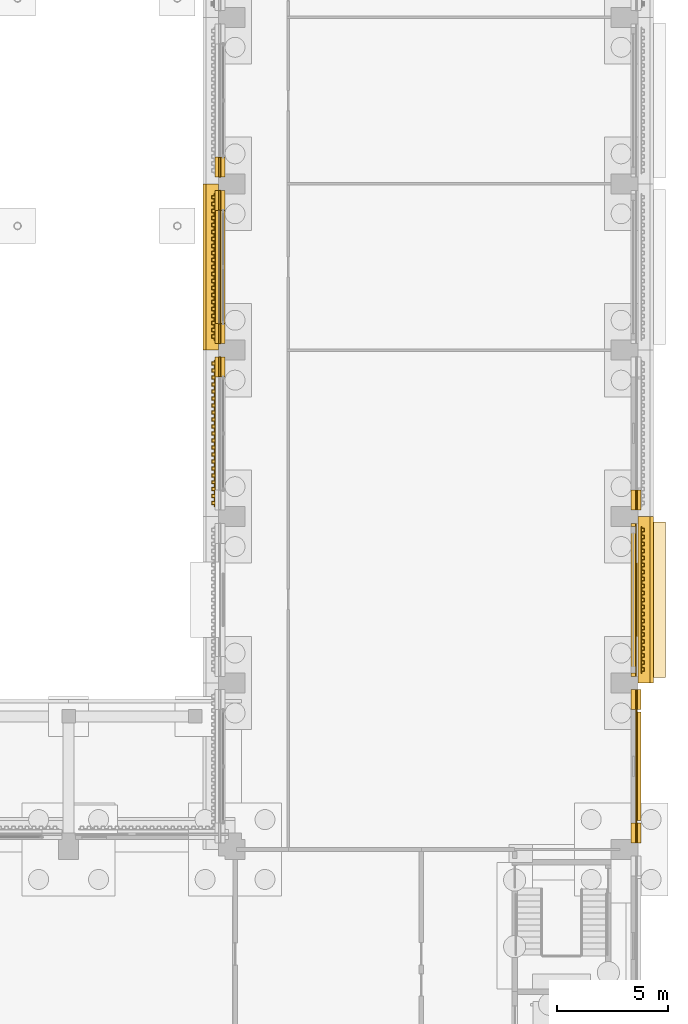
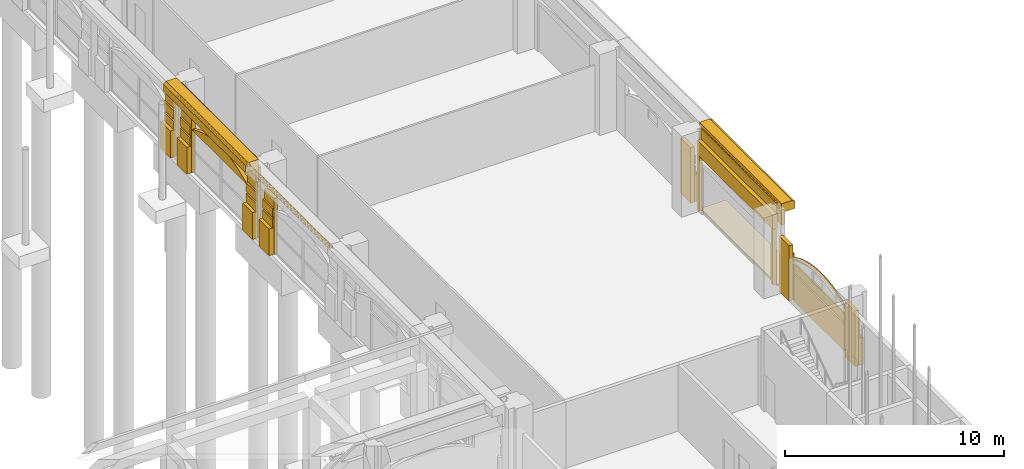
# One storey, part 87 of 99: 42 coverings.
"""IFC4 building model written with IfcOpenShell, lengths in metres."""

from ifc_helpers import new_model, si_unit, direction, frame, origin, place, context, subcontext, project, spatial, polyline, outline, extrude, material, layer, layer_set, type_object, element, save


model = new_model("IFC4")

# Units and contexts
model_context = context("Model", 3, precision=1e-05, world=origin(), true_north=direction((0.0, 1.0)))
body_context = subcontext(model_context, "Body", "Model", "MODEL_VIEW")
ifc_project = project(units=[si_unit("LENGTHUNIT", "METRE"), si_unit("AREAUNIT", "SQUARE_METRE"), si_unit("VOLUMEUNIT", "CUBIC_METRE"), si_unit("PLANEANGLEUNIT", "RADIAN"), si_unit("MASSUNIT", "GRAM", prefix="KILO")], contexts=[model_context])

# Site, building, storey
site_placement = place(None, origin())
site = spatial("IfcSite", under=ifc_project, at=site_placement, CompositionType="ELEMENT")
building_placement = place(site_placement, origin())
building = spatial("IfcBuilding", under=site, at=building_placement, Name="Cour d'Honneur Mobility Palace", CompositionType="ELEMENT")
storey_placement = place(building_placement, origin())
storey = spatial("IfcBuildingStorey", under=building, at=storey_placement, Name="L00", CompositionType="ELEMENT", Elevation=0.0)

# Coverings
ifc_material_1 = material(Name="Cast limestone", Category="masonry")
ifc_layer_1 = layer(ifc_material_1, 0.050048828125)
ifc_layer_set_1 = layer_set([ifc_layer_1], Name="Cast limestone")
covering_type_1 = type_object("IfcCoveringType", Name="Arch hood", PredefinedType="CLADDING", material=ifc_layer_set_1)
covering_1_placement = place(storey_placement, frame((163.0, 63.60009765625, 2.179931640625), z_axis=(1.0, 0.0, 0.0), x_axis=(0.0, 0.893466628376, 0.449129584839)))
element("IfcCovering", 1, at=covering_1_placement, inside=storey, type_object=covering_type_1, Name="Arch hood AH-38", PredefinedType="CLADDING", context=body_context, shape_type="SweptSolid", body=[
    extrude(outline(polyline([(0.0, 0.0), (0.35659251896621735, 0.0), (0.7019994885684498, -0.022795326888668588), (1.0365522012474004, -0.0666397586034293), (1.3614544754480467, -0.13022567619190017), (1.6770364335570624, -0.21235277137119013), (1.9834088964060255, -0.3122569988605455), (2.2812274285521696, -0.4297213972129261), (2.5701654177709066, -0.564308533372167), (2.850768777841922, -0.7160195773922962), (3.122709726486599, -0.8849630099968336), (3.38566048142632, -1.0712473119092998), (3.6398380041081246, -1.2755280476869282), (3.8844770791972314, -1.4982403102778272), (4.119465715808033, -1.740694058742436), (4.343818226996622, -2.004306562810686), (4.556548925819088, -2.2904950922125074), (4.655344276390369, -2.0939586097498237), (4.44272322834545, -1.807551948846934), (4.218261066379314, -1.5441575762797524), (3.983272429768512, -1.3017038278151434), (3.7387430054569535, -1.078773433723176), (3.4844558319976, -0.8747108294466162), (3.221505077057879, -0.68842652753415), (2.949564128413202, -0.5194830949296125), (2.6689607683421865, -0.3677720509094833), (2.3800227791234496, -0.2331849147502425), (2.0822042469773057, -0.11572051639786185), (1.7758317841283424, -0.015816288908506504), (1.4603594767968753, 0.06652893777185187), (1.1353475518186806, 0.12989672385925438), (0.8007948391397299, 0.17374115557401504), (0.45549752031504603, 0.1967546139637521), (0.09879535057128006, 0.19653648246268365), (0.0, 0.0)])), origin(), (0.0, 0.0, -1.0), 0.050048828125),
])
ifc_material_2 = material(Name="Cast limestone", Category="masonry")
ifc_layer_2 = layer(ifc_material_2, 0.199951171875)
ifc_layer_set_2 = layer_set([ifc_layer_2], Name="Cast limestone")
covering_type_2 = type_object("IfcCoveringType", Name="Arch tympanum panel", PredefinedType="CLADDING", material=ifc_layer_set_2)
covering_2_placement = place(storey_placement, frame((144.25, 91.199951171875, 2.39990234375), z_axis=(-1.0, 0.0, 0.0), x_axis=(0.0, -1.0, 0.0)))
element("IfcCovering", 2, at=covering_2_placement, inside=storey, type_object=covering_type_2, Name="Arch tympanum panel TP-4", PredefinedType="CLADDING", context=body_context, shape_type="SweptSolid", body=[
    extrude(outline(polyline([(0.0, 0.0), (5.099853515625, 0.0), (5.099853515625, 0.0), (4.78125, 0.160400390625), (4.46240234375, 0.294921875), (4.143798828125, 0.406005859375), (3.824951171875, 0.495361328125), (3.506103515625, 0.5634765625), (3.1875, 0.61181640625), (2.86865234375, 0.640625), (2.550048828125, 0.650146484375), (2.231201171875, 0.640625), (1.912353515625, 0.61181640625), (1.59375, 0.5634765625), (1.27490234375, 0.495361328125), (0.956298828125, 0.406005859375), (0.637451171875, 0.294921875), (0.318603515625, 0.160400390625), (0.0, 0.0), (0.0, 0.0)])), origin(), (0.0, 0.0, -1.0), 0.199951171875),
])
ifc_material_3 = material(Name="Cast limestone", Category="masonry")
ifc_layer_3 = layer(ifc_material_3, 0.14990234375)
ifc_layer_set_3 = layer_set([ifc_layer_3], Name="Cast limestone")
covering_type_3 = type_object("IfcCoveringType", Name="Dentil course", PredefinedType="CLADDING", material=ifc_layer_set_3)
covering_3_placement = place(storey_placement, frame((0.0, 0.0, 3.949951171875)))
element("IfcCovering", 3, at=covering_3_placement, inside=storey, type_object=covering_type_3, Name="Dentil course DC-26", PredefinedType="CLADDING", context=body_context, shape_type="SweptSolid", body=[
    extrude(outline(polyline([(163.199951171875, 70.35009765625), (163.199951171875, 76.949951171875), (163.22998046875, 76.949951171875), (163.22998046875, 76.949951171875), (163.22998046875, 76.871337890625), (163.35009765625, 76.871337890625), (163.35009765625, 76.71435546875), (163.22998046875, 76.71435546875), (163.22998046875, 76.6357421875), (163.22998046875, 76.6357421875), (163.22998046875, 76.55712890625), (163.35009765625, 76.55712890625), (163.35009765625, 76.39990234375), (163.22998046875, 76.39990234375), (163.22998046875, 76.321533203125), (163.22998046875, 76.321533203125), (163.22998046875, 76.242919921875), (163.35009765625, 76.242919921875), (163.35009765625, 76.085693359375), (163.22998046875, 76.085693359375), (163.22998046875, 76.007080078125), (163.22998046875, 76.007080078125), (163.22998046875, 75.928466796875), (163.35009765625, 75.928466796875), (163.35009765625, 75.771484375), (163.22998046875, 75.771484375), (163.22998046875, 75.69287109375), (163.22998046875, 75.69287109375), (163.22998046875, 75.6142578125), (163.35009765625, 75.6142578125), (163.35009765625, 75.45703125), (163.22998046875, 75.45703125), (163.22998046875, 75.378662109375), (163.22998046875, 75.378662109375), (163.22998046875, 75.300048828125), (163.35009765625, 75.300048828125), (163.35009765625, 75.142822265625), (163.22998046875, 75.142822265625), (163.22998046875, 75.064208984375), (163.22998046875, 75.064208984375), (163.22998046875, 74.985595703125), (163.35009765625, 74.985595703125), (163.35009765625, 74.82861328125), (163.22998046875, 74.82861328125), (163.22998046875, 74.75), (163.22998046875, 74.75), (163.22998046875, 74.67138671875), (163.35009765625, 74.67138671875), (163.35009765625, 74.514404296875), (163.22998046875, 74.514404296875), (163.22998046875, 74.435791015625), (163.22998046875, 74.435791015625), (163.22998046875, 74.357177734375), (163.35009765625, 74.357177734375), (163.35009765625, 74.199951171875), (163.22998046875, 74.199951171875), (163.22998046875, 74.121337890625), (163.22998046875, 74.121337890625), (163.22998046875, 74.04296875), (163.35009765625, 74.04296875), (163.35009765625, 73.8857421875), (163.22998046875, 73.8857421875), (163.22998046875, 73.80712890625), (163.22998046875, 73.80712890625), (163.22998046875, 73.728515625), (163.35009765625, 73.728515625), (163.35009765625, 73.571533203125), (163.22998046875, 73.571533203125), (163.22998046875, 73.492919921875), (163.22998046875, 73.492919921875), (163.22998046875, 73.414306640625), (163.35009765625, 73.414306640625), (163.35009765625, 73.257080078125), (163.22998046875, 73.257080078125), (163.22998046875, 73.178466796875), (163.22998046875, 73.178466796875), (163.22998046875, 73.10009765625), (163.35009765625, 73.10009765625), (163.35009765625, 72.94287109375), (163.22998046875, 72.94287109375), (163.22998046875, 72.8642578125), (163.22998046875, 72.8642578125), (163.22998046875, 72.78564453125), (163.35009765625, 72.78564453125), (163.35009765625, 72.628662109375), (163.22998046875, 72.628662109375), (163.22998046875, 72.550048828125), (163.22998046875, 72.550048828125), (163.22998046875, 72.471435546875), (163.35009765625, 72.471435546875), (163.35009765625, 72.314208984375), (163.22998046875, 72.314208984375), (163.22998046875, 72.235595703125), (163.22998046875, 72.235595703125), (163.22998046875, 72.1572265625), (163.35009765625, 72.1572265625), (163.35009765625, 72.0), (163.22998046875, 72.0), (163.22998046875, 71.92138671875), (163.22998046875, 71.92138671875), (163.22998046875, 71.8427734375), (163.35009765625, 71.8427734375), (163.35009765625, 71.685791015625), (163.22998046875, 71.685791015625), (163.22998046875, 71.607177734375), (163.22998046875, 71.607177734375), (163.22998046875, 71.528564453125), (163.35009765625, 71.528564453125), (163.35009765625, 71.371337890625), (163.22998046875, 71.371337890625), (163.22998046875, 71.29296875), (163.22998046875, 71.29296875), (163.22998046875, 71.21435546875), (163.35009765625, 71.21435546875), (163.35009765625, 71.05712890625), (163.22998046875, 71.05712890625), (163.22998046875, 70.978515625), (163.22998046875, 70.978515625), (163.22998046875, 70.89990234375), (163.35009765625, 70.89990234375), (163.35009765625, 70.742919921875), (163.22998046875, 70.742919921875), (163.22998046875, 70.664306640625), (163.22998046875, 70.664306640625), (163.22998046875, 70.585693359375), (163.35009765625, 70.585693359375), (163.35009765625, 70.428466796875), (163.22998046875, 70.428466796875), (163.22998046875, 70.35009765625), (163.199951171875, 70.35009765625)])), origin(), (0.0, 0.0, 1.0), 0.150146484375),
])
covering_4_placement = place(storey_placement, frame((0.0, 0.0, 3.949951171875)))
element("IfcCovering", 4, at=covering_4_placement, inside=storey, type_object=covering_type_3, Name="Dentil course DC-34", PredefinedType="CLADDING", context=body_context, shape_type="SweptSolid", body=[
    extrude(outline(polyline([(144.0, 91.949951171875), (144.0, 85.35009765625), (143.969970703125, 85.35009765625), (143.969970703125, 85.35009765625), (143.969970703125, 85.428466796875), (143.85009765625, 85.428466796875), (143.85009765625, 85.585693359375), (143.969970703125, 85.585693359375), (143.969970703125, 85.664306640625), (143.969970703125, 85.664306640625), (143.969970703125, 85.742919921875), (143.85009765625, 85.742919921875), (143.85009765625, 85.89990234375), (143.969970703125, 85.89990234375), (143.969970703125, 85.978515625), (143.969970703125, 85.978515625), (143.969970703125, 86.05712890625), (143.85009765625, 86.05712890625), (143.85009765625, 86.21435546875), (143.969970703125, 86.21435546875), (143.969970703125, 86.29296875), (143.969970703125, 86.29296875), (143.969970703125, 86.371337890625), (143.85009765625, 86.371337890625), (143.85009765625, 86.528564453125), (143.969970703125, 86.528564453125), (143.969970703125, 86.607177734375), (143.969970703125, 86.607177734375), (143.969970703125, 86.685791015625), (143.85009765625, 86.685791015625), (143.85009765625, 86.8427734375), (143.969970703125, 86.8427734375), (143.969970703125, 86.92138671875), (143.969970703125, 86.92138671875), (143.969970703125, 87.0), (143.85009765625, 87.0), (143.85009765625, 87.1572265625), (143.969970703125, 87.1572265625), (143.969970703125, 87.235595703125), (143.969970703125, 87.235595703125), (143.969970703125, 87.314208984375), (143.85009765625, 87.314208984375), (143.85009765625, 87.471435546875), (143.969970703125, 87.471435546875), (143.969970703125, 87.550048828125), (143.969970703125, 87.550048828125), (143.969970703125, 87.628662109375), (143.85009765625, 87.628662109375), (143.85009765625, 87.78564453125), (143.969970703125, 87.78564453125), (143.969970703125, 87.8642578125), (143.969970703125, 87.8642578125), (143.969970703125, 87.94287109375), (143.85009765625, 87.94287109375), (143.85009765625, 88.10009765625), (143.969970703125, 88.10009765625), (143.969970703125, 88.178466796875), (143.969970703125, 88.178466796875), (143.969970703125, 88.257080078125), (143.85009765625, 88.257080078125), (143.85009765625, 88.414306640625), (143.969970703125, 88.414306640625), (143.969970703125, 88.492919921875), (143.969970703125, 88.492919921875), (143.969970703125, 88.571533203125), (143.85009765625, 88.571533203125), (143.85009765625, 88.728515625), (143.969970703125, 88.728515625), (143.969970703125, 88.80712890625), (143.969970703125, 88.80712890625), (143.969970703125, 88.8857421875), (143.85009765625, 88.8857421875), (143.85009765625, 89.04296875), (143.969970703125, 89.04296875), (143.969970703125, 89.121337890625), (143.969970703125, 89.121337890625), (143.969970703125, 89.199951171875), (143.85009765625, 89.199951171875), (143.85009765625, 89.357177734375), (143.969970703125, 89.357177734375), (143.969970703125, 89.435791015625), (143.969970703125, 89.435791015625), (143.969970703125, 89.514404296875), (143.85009765625, 89.514404296875), (143.85009765625, 89.67138671875), (143.969970703125, 89.67138671875), (143.969970703125, 89.75), (143.969970703125, 89.75), (143.969970703125, 89.82861328125), (143.85009765625, 89.82861328125), (143.85009765625, 89.985595703125), (143.969970703125, 89.985595703125), (143.969970703125, 90.064208984375), (143.969970703125, 90.064208984375), (143.969970703125, 90.142822265625), (143.85009765625, 90.142822265625), (143.85009765625, 90.300048828125), (143.969970703125, 90.300048828125), (143.969970703125, 90.378662109375), (143.969970703125, 90.378662109375), (143.969970703125, 90.45703125), (143.85009765625, 90.45703125), (143.85009765625, 90.6142578125), (143.969970703125, 90.6142578125), (143.969970703125, 90.69287109375), (143.969970703125, 90.69287109375), (143.969970703125, 90.771484375), (143.85009765625, 90.771484375), (143.85009765625, 90.928466796875), (143.969970703125, 90.928466796875), (143.969970703125, 91.007080078125), (143.969970703125, 91.007080078125), (143.969970703125, 91.085693359375), (143.85009765625, 91.085693359375), (143.85009765625, 91.242919921875), (143.969970703125, 91.242919921875), (143.969970703125, 91.321533203125), (143.969970703125, 91.321533203125), (143.969970703125, 91.39990234375), (143.85009765625, 91.39990234375), (143.85009765625, 91.55712890625), (143.969970703125, 91.55712890625), (143.969970703125, 91.6357421875), (143.969970703125, 91.6357421875), (143.969970703125, 91.71435546875), (143.85009765625, 91.71435546875), (143.85009765625, 91.871337890625), (143.969970703125, 91.871337890625), (143.969970703125, 91.949951171875), (144.0, 91.949951171875)])), origin(), (0.0, 0.0, 1.0), 0.150146484375),
])
covering_5_placement = place(storey_placement, frame((0.0, 0.0, 3.949951171875)))
element("IfcCovering", 5, at=covering_5_placement, inside=storey, type_object=covering_type_3, Name="Dentil course DC-35", PredefinedType="CLADDING", context=body_context, shape_type="SweptSolid", body=[
    extrude(outline(polyline([(144.0, 84.449951171875), (144.0, 77.85009765625), (143.969970703125, 77.85009765625), (143.969970703125, 77.85009765625), (143.969970703125, 77.928466796875), (143.85009765625, 77.928466796875), (143.85009765625, 78.085693359375), (143.969970703125, 78.085693359375), (143.969970703125, 78.164306640625), (143.969970703125, 78.164306640625), (143.969970703125, 78.242919921875), (143.85009765625, 78.242919921875), (143.85009765625, 78.39990234375), (143.969970703125, 78.39990234375), (143.969970703125, 78.478515625), (143.969970703125, 78.478515625), (143.969970703125, 78.55712890625), (143.85009765625, 78.55712890625), (143.85009765625, 78.71435546875), (143.969970703125, 78.71435546875), (143.969970703125, 78.79296875), (143.969970703125, 78.79296875), (143.969970703125, 78.871337890625), (143.85009765625, 78.871337890625), (143.85009765625, 79.028564453125), (143.969970703125, 79.028564453125), (143.969970703125, 79.107177734375), (143.969970703125, 79.107177734375), (143.969970703125, 79.185791015625), (143.85009765625, 79.185791015625), (143.85009765625, 79.3427734375), (143.969970703125, 79.3427734375), (143.969970703125, 79.42138671875), (143.969970703125, 79.42138671875), (143.969970703125, 79.5), (143.85009765625, 79.5), (143.85009765625, 79.6572265625), (143.969970703125, 79.6572265625), (143.969970703125, 79.735595703125), (143.969970703125, 79.735595703125), (143.969970703125, 79.814208984375), (143.85009765625, 79.814208984375), (143.85009765625, 79.971435546875), (143.969970703125, 79.971435546875), (143.969970703125, 80.050048828125), (143.969970703125, 80.050048828125), (143.969970703125, 80.128662109375), (143.85009765625, 80.128662109375), (143.85009765625, 80.28564453125), (143.969970703125, 80.28564453125), (143.969970703125, 80.3642578125), (143.969970703125, 80.3642578125), (143.969970703125, 80.44287109375), (143.85009765625, 80.44287109375), (143.85009765625, 80.60009765625), (143.969970703125, 80.60009765625), (143.969970703125, 80.678466796875), (143.969970703125, 80.678466796875), (143.969970703125, 80.757080078125), (143.85009765625, 80.757080078125), (143.85009765625, 80.914306640625), (143.969970703125, 80.914306640625), (143.969970703125, 80.992919921875), (143.969970703125, 80.992919921875), (143.969970703125, 81.071533203125), (143.85009765625, 81.071533203125), (143.85009765625, 81.228515625), (143.969970703125, 81.228515625), (143.969970703125, 81.30712890625), (143.969970703125, 81.30712890625), (143.969970703125, 81.3857421875), (143.85009765625, 81.3857421875), (143.85009765625, 81.54296875), (143.969970703125, 81.54296875), (143.969970703125, 81.621337890625), (143.969970703125, 81.621337890625), (143.969970703125, 81.699951171875), (143.85009765625, 81.699951171875), (143.85009765625, 81.857177734375), (143.969970703125, 81.857177734375), (143.969970703125, 81.935791015625), (143.969970703125, 81.935791015625), (143.969970703125, 82.014404296875), (143.85009765625, 82.014404296875), (143.85009765625, 82.17138671875), (143.969970703125, 82.17138671875), (143.969970703125, 82.25), (143.969970703125, 82.25), (143.969970703125, 82.32861328125), (143.85009765625, 82.32861328125), (143.85009765625, 82.485595703125), (143.969970703125, 82.485595703125), (143.969970703125, 82.564208984375), (143.969970703125, 82.564208984375), (143.969970703125, 82.642822265625), (143.85009765625, 82.642822265625), (143.85009765625, 82.800048828125), (143.969970703125, 82.800048828125), (143.969970703125, 82.878662109375), (143.969970703125, 82.878662109375), (143.969970703125, 82.95703125), (143.85009765625, 82.95703125), (143.85009765625, 83.1142578125), (143.969970703125, 83.1142578125), (143.969970703125, 83.19287109375), (143.969970703125, 83.19287109375), (143.969970703125, 83.271484375), (143.85009765625, 83.271484375), (143.85009765625, 83.428466796875), (143.969970703125, 83.428466796875), (143.969970703125, 83.507080078125), (143.969970703125, 83.507080078125), (143.969970703125, 83.585693359375), (143.85009765625, 83.585693359375), (143.85009765625, 83.742919921875), (143.969970703125, 83.742919921875), (143.969970703125, 83.821533203125), (143.969970703125, 83.821533203125), (143.969970703125, 83.89990234375), (143.85009765625, 83.89990234375), (143.85009765625, 84.05712890625), (143.969970703125, 84.05712890625), (143.969970703125, 84.1357421875), (143.969970703125, 84.1357421875), (143.969970703125, 84.21435546875), (143.85009765625, 84.21435546875), (143.85009765625, 84.371337890625), (143.969970703125, 84.371337890625), (143.969970703125, 84.449951171875), (144.0, 84.449951171875)])), origin(), (0.0, 0.0, 1.0), 0.150146484375),
])
ifc_material_4 = material(Name="Cast limestone", Category="masonry")
ifc_layer_4 = layer(ifc_material_4, 0.699951171875)
ifc_layer_set_4 = layer_set([ifc_layer_4], Name="Cast limestone")
covering_type_4 = type_object("IfcCoveringType", Name="Entablature", PredefinedType="CLADDING", material=ifc_layer_set_4)
covering_6_placement = place(storey_placement, frame((163.050048828125, 69.89990234375, 3.39990234375), z_axis=(0.0, -1.0, 0.0), x_axis=(1.0, 0.0, 0.0)))
element("IfcCovering", 6, at=covering_6_placement, inside=storey, type_object=covering_type_4, Name="Entablature EN-26", PredefinedType="CLADDING", context=body_context, shape_type="SweptSolid", body=[
    extrude(outline(polyline([(0.0, 0.0), (0.14990234375, 0.0), (0.14990234375, 0.7001953125), (0.699951171875, 0.7001953125), (0.699951171875, 1.10009765625), (0.550048828125, 1.2001953125), (0.0, 1.2001953125), (0.0, 0.0)])), origin(), (0.0, 0.0, -1.0), 7.5),
])
covering_7_placement = place(storey_placement, frame((144.14990234375, 92.39990234375, 3.39990234375), z_axis=(0.0, 1.0, 0.0), x_axis=(-1.0, 0.0, 0.0)))
element("IfcCovering", 7, at=covering_7_placement, inside=storey, type_object=covering_type_4, Name="Entablature EN-34", PredefinedType="CLADDING", context=body_context, shape_type="SweptSolid", body=[
    extrude(outline(polyline([(0.0, 0.0), (0.14990234375, 0.0), (0.14990234375, 0.7001953125), (0.699951171875, 0.7001953125), (0.699951171875, 1.10009765625), (0.5498046875, 1.2001953125), (0.0, 1.2001953125), (0.0, 0.0)])), origin(), (0.0, 0.0, -1.0), 7.5),
])
ifc_material_5 = material(Name="Granite paving", Category="masonry")
ifc_layer_5 = layer(ifc_material_5, 0.10009765625)
ifc_layer_set_5 = layer_set([ifc_layer_5], Name="Granite paving")
covering_type_5 = type_object("IfcCoveringType", Name="Entrance paving", PredefinedType="FLOORING", material=ifc_layer_set_5)
covering_8_placement = place(storey_placement, frame((0.0, 0.0, -0.10009765625)))
element("IfcCovering", 8, at=covering_8_placement, inside=storey, type_object=covering_type_5, Name="Entrance paving PV-10", PredefinedType="FLOORING", context=body_context, shape_type="SweptSolid", body=[
    extrude(outline(polyline([(162.949951171875, 70.14990234375), (162.949951171875, 77.14990234375), (164.300048828125, 77.14990234375), (164.300048828125, 70.14990234375), (162.949951171875, 70.14990234375)])), origin(), (0.0, 0.0, 1.0), 0.10009765625),
])
ifc_material_6 = material(Name="Cast limestone", Category="masonry")
ifc_layer_6 = layer(ifc_material_6, 0.25)
ifc_layer_set_6 = layer_set([ifc_layer_6], Name="Cast limestone")
covering_type_6 = type_object("IfcCoveringType", Name="Plinth course", PredefinedType="CLADDING", material=ifc_layer_set_6)
covering_9_placement = place(storey_placement, origin())
element("IfcCovering", 9, at=covering_9_placement, inside=storey, type_object=covering_type_6, Name="Plinth course PI-112", PredefinedType="CLADDING", context=body_context, shape_type="SweptSolid", body=[
    extrude(outline(polyline([(162.949951171875, 62.699951171875), (162.949951171875, 63.60009765625), (163.199951171875, 63.60009765625), (163.199951171875, 62.699951171875), (162.949951171875, 62.699951171875)])), origin(), (0.0, 0.0, 1.0), 1.5),
])
covering_10_placement = place(storey_placement, origin())
element("IfcCovering", 10, at=covering_10_placement, inside=storey, type_object=covering_type_6, Name="Plinth course PI-113", PredefinedType="CLADDING", context=body_context, shape_type="SweptSolid", body=[
    extrude(outline(polyline([(162.949951171875, 68.699951171875), (162.949951171875, 69.60009765625), (163.199951171875, 69.60009765625), (163.199951171875, 68.699951171875), (162.949951171875, 68.699951171875)])), origin(), (0.0, 0.0, 1.0), 1.5),
])
covering_11_placement = place(storey_placement, origin())
element("IfcCovering", 11, at=covering_11_placement, inside=storey, type_object=covering_type_6, Name="Plinth course PI-114", PredefinedType="CLADDING", context=body_context, shape_type="SweptSolid", body=[
    extrude(outline(polyline([(162.949951171875, 63.699951171875), (162.949951171875, 68.60009765625), (163.199951171875, 68.60009765625), (163.199951171875, 63.699951171875), (162.949951171875, 63.699951171875)])), origin(), (0.0, 0.0, 1.0), 1.5),
])
covering_12_placement = place(storey_placement, origin())
element("IfcCovering", 12, at=covering_12_placement, inside=storey, type_object=covering_type_6, Name="Plinth course PI-115", PredefinedType="CLADDING", context=body_context, shape_type="SweptSolid", body=[
    extrude(outline(polyline([(162.949951171875, 77.699951171875), (162.949951171875, 78.60009765625), (163.199951171875, 78.60009765625), (163.199951171875, 77.699951171875), (162.949951171875, 77.699951171875)])), origin(), (0.0, 0.0, 1.0), 1.5),
])
covering_13_placement = place(storey_placement, origin())
element("IfcCovering", 13, at=covering_13_placement, inside=storey, type_object=covering_type_6, Name="Plinth course PI-131", PredefinedType="CLADDING", context=body_context, shape_type="SweptSolid", body=[
    extrude(outline(polyline([(144.25, 93.60009765625), (144.25, 92.699951171875), (144.0, 92.699951171875), (144.0, 93.60009765625), (144.25, 93.60009765625)])), origin(), (0.0, 0.0, 1.0), 1.5),
])
covering_14_placement = place(storey_placement, origin())
element("IfcCovering", 14, at=covering_14_placement, inside=storey, type_object=covering_type_6, Name="Plinth course PI-132", PredefinedType="CLADDING", context=body_context, shape_type="SweptSolid", body=[
    extrude(outline(polyline([(144.25, 92.10009765625), (144.25, 91.199951171875), (144.0, 91.199951171875), (144.0, 92.10009765625), (144.25, 92.10009765625)])), origin(), (0.0, 0.0, 1.0), 1.5),
])
covering_15_placement = place(storey_placement, origin())
element("IfcCovering", 15, at=covering_15_placement, inside=storey, type_object=covering_type_6, Name="Plinth course PI-133", PredefinedType="CLADDING", context=body_context, shape_type="SweptSolid", body=[
    extrude(outline(polyline([(144.25, 86.10009765625), (144.25, 85.199951171875), (144.0, 85.199951171875), (144.0, 86.10009765625), (144.25, 86.10009765625)])), origin(), (0.0, 0.0, 1.0), 1.5),
])
covering_16_placement = place(storey_placement, origin())
element("IfcCovering", 16, at=covering_16_placement, inside=storey, type_object=covering_type_6, Name="Plinth course PI-134", PredefinedType="CLADDING", context=body_context, shape_type="SweptSolid", body=[
    extrude(outline(polyline([(144.25, 84.60009765625), (144.25, 83.699951171875), (144.0, 83.699951171875), (144.0, 84.60009765625), (144.25, 84.60009765625)])), origin(), (0.0, 0.0, 1.0), 1.5),
])
ifc_material_7 = material(Name="Cast limestone", Category="masonry")
ifc_layer_7 = layer(ifc_material_7, 0.199951171875)
ifc_layer_set_7 = layer_set([ifc_layer_7], Name="Cast limestone")
covering_type_7 = type_object("IfcCoveringType", Name="Rusticated jamb panel", PredefinedType="CLADDING", material=ifc_layer_set_7)
for number, where, z_axis, x_axis, name in (
    (17, (162.949951171875, 62.699951171875, 0.0), (1.0, 0.0, 0.0), (0.0, 1.0, 0.0), "Rusticated jamb panel RP-82"),
    (18, (162.949951171875, 68.699951171875, 0.0), (1.0, 0.0, 0.0), (0.0, 1.0, 0.0), "Rusticated jamb panel RP-83"),
):
    element("IfcCovering", number, at=place(storey_placement, frame(where, z_axis=z_axis, x_axis=x_axis)), inside=storey, type_object=covering_type_7, Name=name, PredefinedType="CLADDING", context=body_context, shape_type="SweptSolid", body=[
        extrude(outline(polyline([(0.0, 0.0), (0.900146484375, 0.0), (0.900146484375, 3.10009765625), (0.0, 3.10009765625), (0.0, 0.0)])), origin(), (0.0, 0.0, -1.0), 0.199951171875),
    ])
for number, where, z_axis, x_axis, name in (
    (19, (162.949951171875, 70.199951171875, 0.0), (1.0, 0.0, 0.0), (0.0, 1.0, 0.0), "Rusticated jamb panel RP-84"),
    (20, (162.949951171875, 76.949951171875, 0.0), (1.0, 0.0, 0.0), (0.0, 1.0, 0.0), "Rusticated jamb panel RP-85"),
):
    element("IfcCovering", number, at=place(storey_placement, frame(where, z_axis=z_axis, x_axis=x_axis)), inside=storey, type_object=covering_type_7, Name=name, PredefinedType="CLADDING", context=body_context, shape_type="SweptSolid", body=[
        extrude(outline(polyline([(0.0, 0.0), (0.150146484375, 0.0), (0.150146484375, 3.10009765625), (0.0, 3.10009765625), (0.0, 0.0)])), origin(), (0.0, 0.0, -1.0), 0.199951171875),
    ])
for number, where, z_axis, x_axis, name in (
    (21, (162.949951171875, 77.699951171875, 0.0), (1.0, 0.0, 0.0), (0.0, 1.0, 0.0), "Rusticated jamb panel RP-86"),
    (22, (144.25, 93.60009765625, 0.0), (-1.0, 0.0, 0.0), (0.0, -1.0, 0.0), "Rusticated jamb panel RP-104"),
    (23, (144.25, 92.10009765625, 0.0), (-1.0, 0.0, 0.0), (0.0, -1.0, 0.0), "Rusticated jamb panel RP-105"),
    (24, (144.25, 86.10009765625, 0.0), (-1.0, 0.0, 0.0), (0.0, -1.0, 0.0), "Rusticated jamb panel RP-106"),
    (25, (144.25, 84.60009765625, 0.0), (-1.0, 0.0, 0.0), (0.0, -1.0, 0.0), "Rusticated jamb panel RP-107"),
):
    element("IfcCovering", number, at=place(storey_placement, frame(where, z_axis=z_axis, x_axis=x_axis)), inside=storey, type_object=covering_type_7, Name=name, PredefinedType="CLADDING", context=body_context, shape_type="SweptSolid", body=[
        extrude(outline(polyline([(0.0, 0.0), (0.900146484375, 0.0), (0.900146484375, 3.10009765625), (0.0, 3.10009765625), (0.0, 0.0)])), origin(), (0.0, 0.0, -1.0), 0.199951171875),
    ])
ifc_material_8 = material(Name="Cast limestone", Category="masonry")
ifc_layer_8 = layer(ifc_material_8, 0.080078125)
ifc_layer_set_8 = layer_set([ifc_layer_8], Name="Cast limestone")
covering_type_8 = type_object("IfcCoveringType", Name="Rustication course", PredefinedType="CLADDING", material=ifc_layer_set_8)
for number, where, name in (
    (26, (0.0, 0.0, 1.5), "Rustication course RC-186"),
    (27, (0.0, 0.0, 2.10009765625), "Rustication course RC-187"),
):
    element("IfcCovering", number, at=place(storey_placement, frame(where)), inside=storey, type_object=covering_type_8, Name=name, PredefinedType="CLADDING", context=body_context, shape_type="SweptSolid", body=[
        extrude(outline(polyline([(162.949951171875, 62.699951171875), (162.949951171875, 63.60009765625), (163.030029296875, 63.60009765625), (163.030029296875, 62.699951171875), (162.949951171875, 62.699951171875)])), origin(), (0.0, 0.0, 1.0), 0.47998046875),
    ])
for number, where, name in (
    (28, (0.0, 0.0, 1.5), "Rustication course RC-188"),
    (29, (0.0, 0.0, 2.10009765625), "Rustication course RC-189"),
):
    element("IfcCovering", number, at=place(storey_placement, frame(where)), inside=storey, type_object=covering_type_8, Name=name, PredefinedType="CLADDING", context=body_context, shape_type="SweptSolid", body=[
        extrude(outline(polyline([(162.949951171875, 68.699951171875), (162.949951171875, 69.60009765625), (163.030029296875, 69.60009765625), (163.030029296875, 68.699951171875), (162.949951171875, 68.699951171875)])), origin(), (0.0, 0.0, 1.0), 0.47998046875),
    ])
covering_17_placement = place(storey_placement, frame((0.0, 0.0, 1.6201171875)))
element("IfcCovering", 30, at=covering_17_placement, inside=storey, type_object=covering_type_8, Name="Rustication course RC-190", PredefinedType="CLADDING", context=body_context, shape_type="SweptSolid", body=[
    extrude(outline(polyline([(162.949951171875, 63.699951171875), (162.949951171875, 68.60009765625), (163.030029296875, 68.60009765625), (163.030029296875, 63.699951171875), (162.949951171875, 63.699951171875)])), origin(), (0.0, 0.0, 1.0), 0.47998046875),
])
for number, where, name in (
    (31, (0.0, 0.0, 1.5), "Rustication course RC-191"),
    (32, (0.0, 0.0, 2.10009765625), "Rustication course RC-192"),
):
    element("IfcCovering", number, at=place(storey_placement, frame(where)), inside=storey, type_object=covering_type_8, Name=name, PredefinedType="CLADDING", context=body_context, shape_type="SweptSolid", body=[
        extrude(outline(polyline([(162.949951171875, 77.699951171875), (162.949951171875, 78.60009765625), (163.030029296875, 78.60009765625), (163.030029296875, 77.699951171875), (162.949951171875, 77.699951171875)])), origin(), (0.0, 0.0, 1.0), 0.47998046875),
    ])
for number, where, name in (
    (33, (0.0, 0.0, 1.5), "Rustication course RC-227"),
    (34, (0.0, 0.0, 2.10009765625), "Rustication course RC-228"),
):
    element("IfcCovering", number, at=place(storey_placement, frame(where)), inside=storey, type_object=covering_type_8, Name=name, PredefinedType="CLADDING", context=body_context, shape_type="SweptSolid", body=[
        extrude(outline(polyline([(144.25, 93.60009765625), (144.25, 92.699951171875), (144.169921875, 92.699951171875), (144.169921875, 93.60009765625), (144.25, 93.60009765625)])), origin(), (0.0, 0.0, 1.0), 0.47998046875),
    ])
for number, where, name in (
    (35, (0.0, 0.0, 1.5), "Rustication course RC-229"),
    (36, (0.0, 0.0, 2.10009765625), "Rustication course RC-230"),
):
    element("IfcCovering", number, at=place(storey_placement, frame(where)), inside=storey, type_object=covering_type_8, Name=name, PredefinedType="CLADDING", context=body_context, shape_type="SweptSolid", body=[
        extrude(outline(polyline([(144.25, 92.10009765625), (144.25, 91.199951171875), (144.169921875, 91.199951171875), (144.169921875, 92.10009765625), (144.25, 92.10009765625)])), origin(), (0.0, 0.0, 1.0), 0.47998046875),
    ])
for number, where, name in (
    (37, (0.0, 0.0, 1.5), "Rustication course RC-231"),
    (38, (0.0, 0.0, 2.10009765625), "Rustication course RC-232"),
):
    element("IfcCovering", number, at=place(storey_placement, frame(where)), inside=storey, type_object=covering_type_8, Name=name, PredefinedType="CLADDING", context=body_context, shape_type="SweptSolid", body=[
        extrude(outline(polyline([(144.25, 86.10009765625), (144.25, 85.199951171875), (144.169921875, 85.199951171875), (144.169921875, 86.10009765625), (144.25, 86.10009765625)])), origin(), (0.0, 0.0, 1.0), 0.47998046875),
    ])
for number, where, name in (
    (39, (0.0, 0.0, 1.5), "Rustication course RC-233"),
    (40, (0.0, 0.0, 2.10009765625), "Rustication course RC-234"),
):
    element("IfcCovering", number, at=place(storey_placement, frame(where)), inside=storey, type_object=covering_type_8, Name=name, PredefinedType="CLADDING", context=body_context, shape_type="SweptSolid", body=[
        extrude(outline(polyline([(144.25, 84.60009765625), (144.25, 83.699951171875), (144.169921875, 83.699951171875), (144.169921875, 84.60009765625), (144.25, 84.60009765625)])), origin(), (0.0, 0.0, 1.0), 0.47998046875),
    ])
ifc_material_9 = material(Name="Cast limestone", Category="masonry")
ifc_layer_9 = layer(ifc_material_9, 0.25)
ifc_layer_set_9 = layer_set([ifc_layer_9], Name="Cast limestone")
covering_type_9 = type_object("IfcCoveringType", Name="Spandrel cladding", PredefinedType="CLADDING", material=ifc_layer_set_9)
for number, where, z_axis, x_axis, name in (
    (41, (162.75, 70.199951171875, 3.10009765625), (0.0, -1.0, 0.0), (1.0, 0.0, 0.0), "Spandrel cladding SK-26"),
    (42, (144.449951171875, 92.10009765625, 3.10009765625), (0.0, 1.0, 0.0), (-1.0, 0.0, 0.0), "Spandrel cladding SK-34"),
):
    element("IfcCovering", number, at=place(storey_placement, frame(where, z_axis=z_axis, x_axis=x_axis)), inside=storey, type_object=covering_type_9, Name=name, PredefinedType="CLADDING", context=body_context, shape_type="SweptSolid", body=[
        extrude(outline(polyline([(0.0, 0.0), (0.25, 0.0), (0.25, 1.39990234375), (0.199951171875, 1.39990234375), (0.199951171875, 0.7998046875), (0.0, 0.7998046875), (0.0, 0.0)])), origin(), (0.0, 0.0, -1.0), 6.89990234375),
    ])

save(model, "model.ifc")
